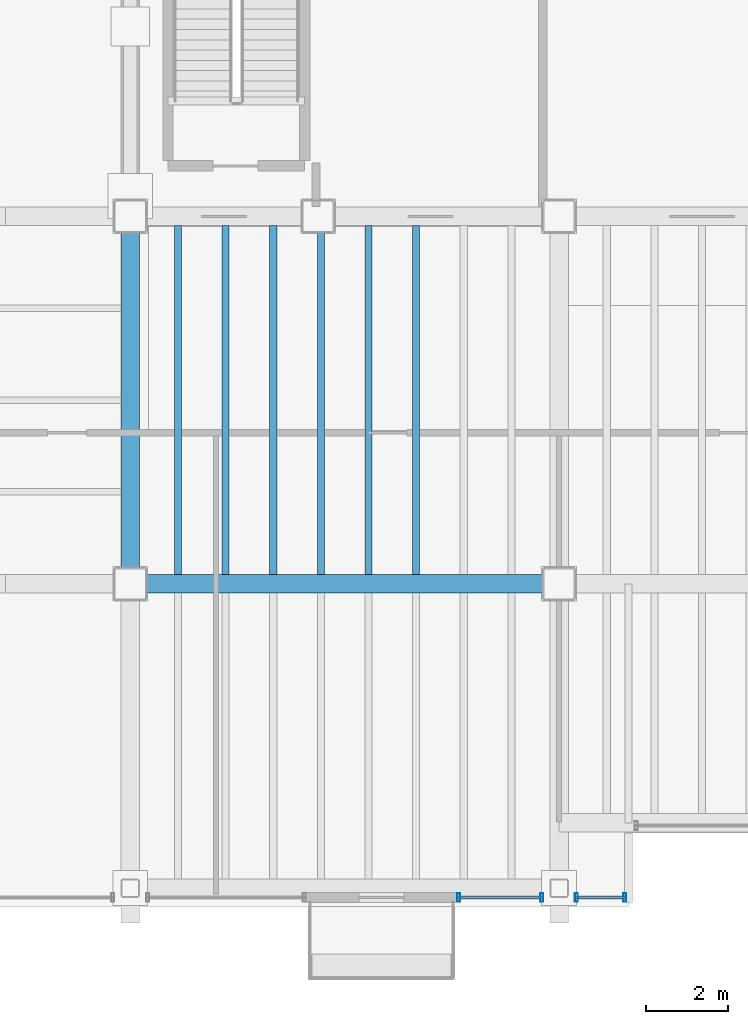
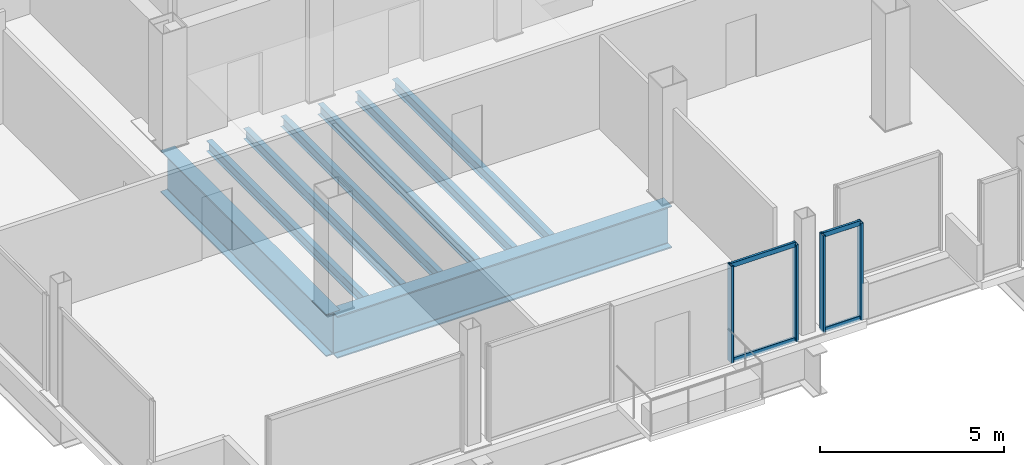
# One storey, part 5 of 22: 8 beams, 8 members, 2 elements without a shape of their own.
"""IFC4 building model written with IfcOpenShell, lengths in metres."""

from ifc_helpers import new_model, si_unit, direction, frame, origin, origin_2d, place, context, subcontext, project, spatial, hollow_rectangle, i_section, extrude, material, material_profile, profile_set, type_object, element, aggregate, save


model = new_model("IFC4")

# Units and contexts
model_context = context("Model", 3, precision=1e-05, world=origin(), true_north=direction((0.0, 1.0)))
body_context = subcontext(model_context, "Body", "Model", "MODEL_VIEW")
ifc_project = project(units=[si_unit("LENGTHUNIT", "METRE"), si_unit("AREAUNIT", "SQUARE_METRE"), si_unit("VOLUMEUNIT", "CUBIC_METRE"), si_unit("PLANEANGLEUNIT", "RADIAN"), si_unit("MASSUNIT", "GRAM", prefix="KILO")], contexts=[model_context])

# Site, building, storey
site_placement = place(None, origin())
site = spatial("IfcSite", under=ifc_project, at=site_placement, CompositionType="ELEMENT")
building_placement = place(site_placement, origin())
building = spatial("IfcBuilding", under=site, at=building_placement, Name="Noeulbin Bourse Tower", CompositionType="ELEMENT")
storey_placement = place(building_placement, frame((0.0, 0.0, 230.60009765625)))
storey = spatial("IfcBuildingStorey", under=building, at=storey_placement, Name="L57", CompositionType="ELEMENT", Elevation=230.60009765625)

# Beams
ifc_material_1 = material(Name="Steel S355", Category="steel")
ifc_material_profile_1 = material_profile(ifc_material_1, i_section(OverallWidth=0.175048828125, OverallDepth=0.35009765625, WebThickness=0.007080078125, FlangeThickness=0.010986328125, FilletRadius=0.013916015625, at=origin_2d()), Name="H-350x175x7x11", Category="LoadBearing")
ifc_profile_set_1 = profile_set([ifc_material_profile_1], Name="Steel S355")
beam_type_1 = type_object("IfcBeamType", Name="BM-JST-350", PredefinedType="JOIST", material=ifc_profile_set_1)
for number, where, z_axis, x_axis, name in (
    (1, (14.666748046875, 20.22509765625, -0.4150390625), (0.0, 1.0, 0.0), (-1.0, 0.0, 0.0), "Tower Composite Joist L57-02"),
    (2, (15.833251953125, 20.22509765625, -0.4150390625), (0.0, 1.0, 0.0), (-1.0, 0.0, 0.0), "Tower Composite Joist L57-04"),
    (3, (17.0, 20.22509765625, -0.4150390625), (0.0, 1.0, 0.0), (-1.0, 0.0, 0.0), "Tower Composite Joist L57-06"),
    (4, (18.166748046875, 20.22509765625, -0.4150390625), (0.0, 1.0, 0.0), (-1.0, 0.0, 0.0), "Tower Composite Joist L57-08"),
    (5, (19.333251953125, 20.22509765625, -0.4150390625), (0.0, 1.0, 0.0), (-1.0, 0.0, 0.0), "Tower Composite Joist L57-10"),
    (6, (20.5, 20.22509765625, -0.4150390625), (0.0, 1.0, 0.0), (-1.0, 0.0, 0.0), "Tower Composite Joist L57-12"),
):
    element("IfcBeam", number, at=place(storey_placement, frame(where, z_axis=z_axis, x_axis=x_axis)), inside=storey, type_object=beam_type_1, Name=name, PredefinedType="JOIST", context=body_context, shape_type="SweptSolid", body=[
        extrude(i_section(OverallWidth=0.175048828125, OverallDepth=0.35009765625, WebThickness=0.007080078125, FlangeThickness=0.010986328125, FilletRadius=0.013916015625, at=origin_2d()), origin(), (0.0, 0.0, 1.0), 8.5498046875),
    ])
ifc_material_2 = material(Name="Steel S460", Category="steel")
ifc_material_profile_2 = material_profile(ifc_material_2, i_section(OverallWidth=0.449951171875, OverallDepth=1.39990234375, WebThickness=0.02392578125, FlangeThickness=0.0400390625, FilletRadius=0.02392578125, at=origin_2d()), Name="PG-1400x450x24x40", Category="LoadBearing")
ifc_profile_set_2 = profile_set([ifc_material_profile_2], Name="Steel S460")
beam_type_2 = type_object("IfcBeamType", Name="BM-TRF-1400", PredefinedType="USERDEFINED", material=ifc_profile_set_2)
beam_1_placement = place(storey_placement, frame((13.5, 20.0, -0.940185546875), z_axis=(1.0, 0.0, 0.0), x_axis=(0.0, 1.0, 0.0)))
element("IfcBeam", 7, at=beam_1_placement, inside=storey, type_object=beam_type_2, Name="Tower Primary Girder EW L57-1.4", ObjectType="GIRDER", PredefinedType="USERDEFINED", context=body_context, shape_type="SweptSolid", body=[
    extrude(i_section(OverallWidth=0.449951171875, OverallDepth=1.39990234375, WebThickness=0.02392578125, FlangeThickness=0.0400390625, FilletRadius=0.02392578125, at=origin_2d()), origin(), (0.0, 0.0, 1.0), 10.5),
])
beam_2_placement = place(storey_placement, frame((13.5, 20.0, -0.940185546875), z_axis=(0.0, 1.0, 0.0), x_axis=(-1.0, 0.0, 0.0)))
element("IfcBeam", 8, at=beam_2_placement, inside=storey, type_object=beam_type_2, Name="Tower Primary Girder NS L57-1.2", ObjectType="GIRDER", PredefinedType="USERDEFINED", context=body_context, shape_type="SweptSolid", body=[
    extrude(i_section(OverallWidth=0.449951171875, OverallDepth=1.39990234375, WebThickness=0.02392578125, FlangeThickness=0.0400390625, FilletRadius=0.02392578125, at=origin_2d()), origin(), (0.0, 0.0, 1.0), 9.0),
])

# Curtain wall, members
ifc_material_3 = material(Name="High-Selectivity Low-Iron Glazing", Category="glass")
curtain_wall_type = type_object("IfcCurtainWallType", Name="CW-SYS-4", PredefinedType="NOTDEFINED", material=ifc_material_3)
curtain_wall_1_placement = place(storey_placement, origin())
curtain_wall_1 = element("IfcCurtainWall", 9, at=curtain_wall_1_placement, inside=storey, type_object=curtain_wall_type, Name="Unitised Curtain Wall CW-L57-S2-S1", PredefinedType="NOTDEFINED")
ifc_material_4 = material(Name="Anodised Aluminium 6063-T6", Category="aluminium")
ifc_material_profile_3 = material_profile(ifc_material_4, hollow_rectangle(XDim=0.074951171875, YDim=0.219970703125, WallThickness=0.0048828125, InnerFilletRadius=0.00244140625, OuterFilletRadius=0.0048828125, at=origin_2d()), Name="ALU-MULL-75x220x5", Category="LoadBearing")
ifc_profile_set_3 = profile_set([ifc_material_profile_3], Name="Anodised Aluminium 6063-T6")
member_type_1 = type_object("IfcMemberType", Name="CW-SYS-4-MUL", PredefinedType="MULLION", material=ifc_profile_set_3)
member_1_placement = place(storey_placement, frame((21.5400390625, 12.320068359375, -0.02001953125), z_axis=(0.0, 0.0, 1.0), x_axis=(1.0, 0.0, 0.0)))
member_1 = element("IfcMember", 10, at=member_1_placement, type_object=member_type_1, Name="Curtain Wall Mullion CW-L57-S2-S1-M00", PredefinedType="MULLION", context=body_context, shape_type="SweptSolid", body=[
    extrude(hollow_rectangle(XDim=0.074951171875, YDim=0.219970703125, WallThickness=0.0048828125, InnerFilletRadius=0.00244140625, OuterFilletRadius=0.0048828125, at=origin_2d()), origin(), (0.0, 0.0, 1.0), 3.219970703125),
])
member_2_placement = place(storey_placement, frame((23.574951171875, 12.320068359375, -0.02001953125), z_axis=(0.0, 0.0, 1.0), x_axis=(1.0, 0.0, 0.0)))
member_2 = element("IfcMember", 11, at=member_2_placement, type_object=member_type_1, Name="Curtain Wall Mullion CW-L57-S2-S1-M01", PredefinedType="MULLION", context=body_context, shape_type="SweptSolid", body=[
    extrude(hollow_rectangle(XDim=0.074951171875, YDim=0.219970703125, WallThickness=0.0048828125, InnerFilletRadius=0.00244140625, OuterFilletRadius=0.0048828125, at=origin_2d()), origin(), (0.0, 0.0, 1.0), 3.219970703125),
])

curtain_wall_2_placement = place(storey_placement, origin())
curtain_wall_2 = element("IfcCurtainWall", 12, at=curtain_wall_2_placement, inside=storey, type_object=curtain_wall_type, Name="Unitised Curtain Wall CW-L57-S2-S2", PredefinedType="NOTDEFINED")
member_3_placement = place(storey_placement, frame((24.425048828125, 12.320068359375, -0.02001953125), z_axis=(0.0, 0.0, 1.0), x_axis=(1.0, 0.0, 0.0)))
member_3 = element("IfcMember", 13, at=member_3_placement, type_object=member_type_1, Name="Curtain Wall Mullion CW-L57-S2-S2-M00", PredefinedType="MULLION", context=body_context, shape_type="SweptSolid", body=[
    extrude(hollow_rectangle(XDim=0.074951171875, YDim=0.219970703125, WallThickness=0.0048828125, InnerFilletRadius=0.00244140625, OuterFilletRadius=0.0048828125, at=origin_2d()), origin(), (0.0, 0.0, 1.0), 3.219970703125),
])
member_4_placement = place(storey_placement, frame((25.610107421875, 12.320068359375, -0.02001953125), z_axis=(0.0, 0.0, 1.0), x_axis=(1.0, 0.0, 0.0)))
member_4 = element("IfcMember", 14, at=member_4_placement, type_object=member_type_1, Name="Curtain Wall Mullion CW-L57-S2-S2-M01", PredefinedType="MULLION", context=body_context, shape_type="SweptSolid", body=[
    extrude(hollow_rectangle(XDim=0.074951171875, YDim=0.219970703125, WallThickness=0.0048828125, InnerFilletRadius=0.00244140625, OuterFilletRadius=0.0048828125, at=origin_2d()), origin(), (0.0, 0.0, 1.0), 3.219970703125),
])

# Member
ifc_material_profile_4 = material_profile(ifc_material_4, hollow_rectangle(XDim=0.074951171875, YDim=0.159912109375, WallThickness=0.0048828125, InnerFilletRadius=0.00244140625, OuterFilletRadius=0.0048828125, at=origin_2d()), Name="ALU-TRAN-75x160x5", Category="LoadBearing")
ifc_profile_set_4 = profile_set([ifc_material_profile_4], Name="Anodised Aluminium 6063-T6")
member_type_2 = type_object("IfcMemberType", Name="CW-SYS-4-TRN", PredefinedType="USERDEFINED", material=ifc_profile_set_4)
member_5_placement = place(storey_placement, frame((21.550048828125, 12.320068359375, 0.010009765625), z_axis=(1.0, 0.0, 0.0), x_axis=(0.0, 1.0, 0.0)))
member_5 = element("IfcMember", 15, at=member_5_placement, type_object=member_type_2, Name="Curtain Wall Transom CW-L57-S2-S1-T00", ObjectType="TRANSOM", PredefinedType="USERDEFINED", context=body_context, shape_type="SweptSolid", body=[
    extrude(hollow_rectangle(XDim=0.074951171875, YDim=0.159912109375, WallThickness=0.0048828125, InnerFilletRadius=0.00244140625, OuterFilletRadius=0.0048828125, at=origin_2d()), origin(), (0.0, 0.0, 1.0), 2.014892578125),
])

member_6_placement = place(storey_placement, frame((21.550048828125, 12.320068359375, 3.169921875), z_axis=(1.0, 0.0, 0.0), x_axis=(0.0, 1.0, 0.0)))
member_6 = element("IfcMember", 16, at=member_6_placement, type_object=member_type_2, Name="Curtain Wall Transom CW-L57-S2-S1-T01", ObjectType="TRANSOM", PredefinedType="USERDEFINED", context=body_context, shape_type="SweptSolid", body=[
    extrude(hollow_rectangle(XDim=0.074951171875, YDim=0.159912109375, WallThickness=0.0048828125, InnerFilletRadius=0.00244140625, OuterFilletRadius=0.0048828125, at=origin_2d()), origin(), (0.0, 0.0, 1.0), 2.014892578125),
])

aggregate(curtain_wall_1, [member_1, member_2, member_5, member_6])

member_7_placement = place(storey_placement, frame((24.43505859375, 12.320068359375, 0.010009765625), z_axis=(1.0, 0.0, 0.0), x_axis=(0.0, 1.0, 0.0)))
member_7 = element("IfcMember", 17, at=member_7_placement, type_object=member_type_2, Name="Curtain Wall Transom CW-L57-S2-S2-T00", ObjectType="TRANSOM", PredefinedType="USERDEFINED", context=body_context, shape_type="SweptSolid", body=[
    extrude(hollow_rectangle(XDim=0.074951171875, YDim=0.159912109375, WallThickness=0.0048828125, InnerFilletRadius=0.00244140625, OuterFilletRadius=0.0048828125, at=origin_2d()), origin(), (0.0, 0.0, 1.0), 1.1650390625),
])

member_8_placement = place(storey_placement, frame((24.43505859375, 12.320068359375, 3.169921875), z_axis=(1.0, 0.0, 0.0), x_axis=(0.0, 1.0, 0.0)))
member_8 = element("IfcMember", 18, at=member_8_placement, type_object=member_type_2, Name="Curtain Wall Transom CW-L57-S2-S2-T01", ObjectType="TRANSOM", PredefinedType="USERDEFINED", context=body_context, shape_type="SweptSolid", body=[
    extrude(hollow_rectangle(XDim=0.074951171875, YDim=0.159912109375, WallThickness=0.0048828125, InnerFilletRadius=0.00244140625, OuterFilletRadius=0.0048828125, at=origin_2d()), origin(), (0.0, 0.0, 1.0), 1.1650390625),
])

aggregate(curtain_wall_2, [member_3, member_4, member_7, member_8])

save(model, "model.ifc")
